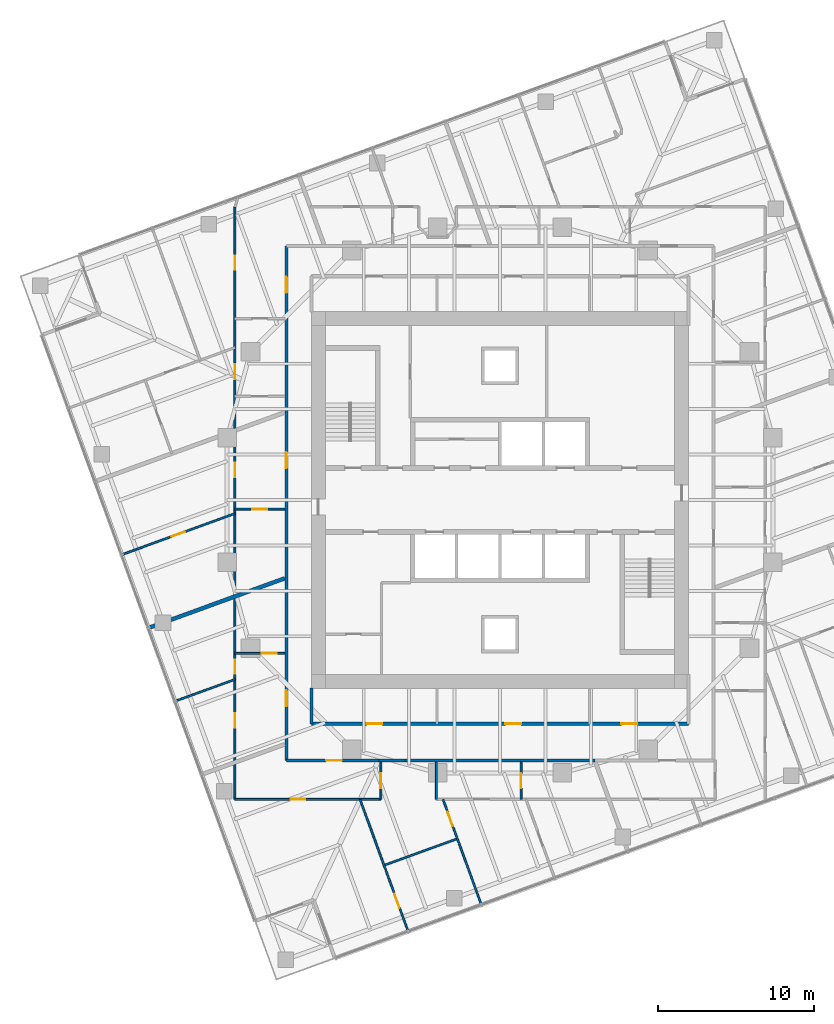
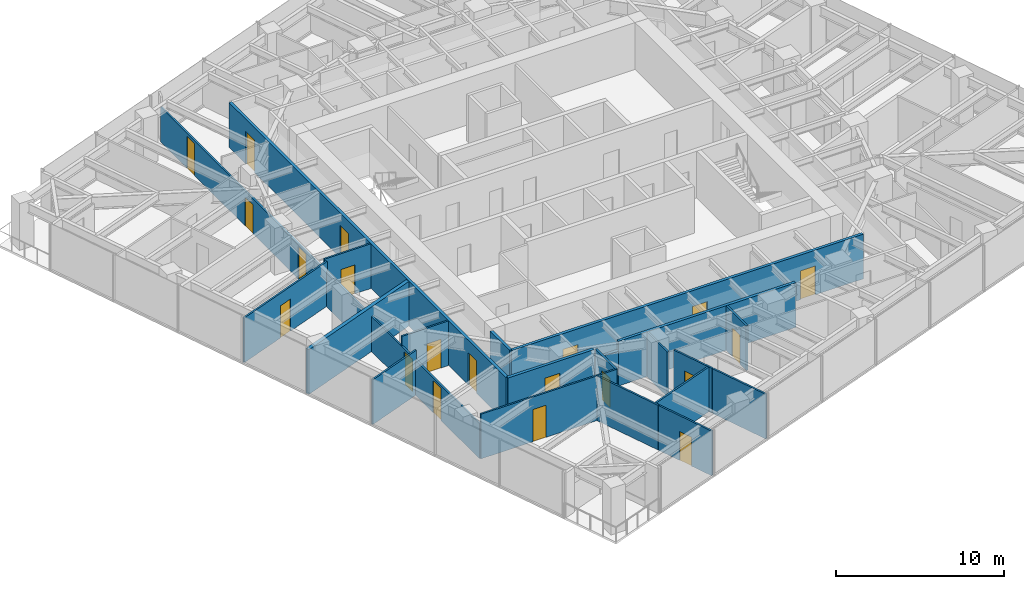
# One storey, part 7 of 13: 21 walls, 20 doors, 20 openings.
"""IFC4 building model written with IfcOpenShell, lengths in metres."""

from ifc_helpers import new_model, si_unit, direction, frame, frame_2d, origin, place, context, subcontext, project, spatial, rectangle, extrude, material, layer, layer_set, type_object, element, fill, save


model = new_model("IFC4")

# Units and contexts
model_context = context("Model", 3, precision=1e-05, world=origin(), true_north=direction((0.0, 1.0)))
body_context = subcontext(model_context, "Body", "Model", "MODEL_VIEW")
ifc_project = project(units=[si_unit("LENGTHUNIT", "METRE"), si_unit("AREAUNIT", "SQUARE_METRE"), si_unit("VOLUMEUNIT", "CUBIC_METRE"), si_unit("PLANEANGLEUNIT", "RADIAN"), si_unit("MASSUNIT", "GRAM", prefix="KILO")], contexts=[model_context])

# Site, building, storey
site_placement = place(None, origin())
site = spatial("IfcSite", under=ifc_project, at=site_placement, CompositionType="ELEMENT")
building_placement = place(site_placement, origin())
building = spatial("IfcBuilding", under=site, at=building_placement, Name="Torsade Residences", CompositionType="ELEMENT")
storey_placement = place(building_placement, frame((0.0, 0.0, 150.60009765625)))
storey = spatial("IfcBuildingStorey", under=building, at=storey_placement, Name="L41", CompositionType="ELEMENT", Elevation=150.60009765625)

# Wall, opening, door
ifc_material_1 = material(Name="Plasterboard on steel stud", Category="steel")
ifc_layer_1 = layer(ifc_material_1, 0.199951171875)
ifc_layer_set_1 = layer_set([ifc_layer_1], Name="Plasterboard on steel stud")
wall_type_1 = type_object("IfcWallType", Name="CORRIDOR WALL 200", PredefinedType="PARTITIONING", material=ifc_layer_set_1)
wall_1_placement = place(storey_placement, frame((26.300048828125, 13.300048828125, 0.0), z_axis=(0.0, 0.0, 1.0), x_axis=(1.0, 0.0, 0.0)))
wall_1 = element("IfcWall", 1, at=wall_1_placement, inside=storey, type_object=wall_type_1, Name="Corridor wall L41", PredefinedType="PARTITIONING", context=body_context, shape_type="SweptSolid", body=[
    extrude(rectangle(XDim=5.9248046875, YDim=0.199951171875, at=frame_2d((2.96240234375, 0.0))), origin(), (0.0, 0.0, 1.0), 3.25),
])
opening_1_placement = place(wall_1_placement, frame((2.54541015625, 0.0, 0.0)))
opening_1 = element("IfcOpeningElement", 2, at=opening_1_placement, cuts=wall_1, Name="Opening D01", PredefinedType="OPENING", context=body_context, shape_type="SweptSolid", body=[
    extrude(rectangle(XDim=1.02001953125, YDim=2.340087890625, at=frame_2d((0.510009765625, 1.169921875))), frame((0.0, 0.10986328125, 0.0), z_axis=(0.0, -1.0, 0.0), x_axis=(1.0, 0.0, 0.0)), (0.0, 0.0, 1.0), 0.219970703125),
])
ifc_material_2 = material(Name="Solid-core timber fire door", Category="wood")
door_type_1 = type_object("IfcDoorType", Name="APARTMENT ENTRY DOOR 1020x2340", OperationType="NOTDEFINED", PredefinedType="DOOR", material=ifc_material_2)
door_1_placement = place(opening_1_placement, origin())
door_1 = element("IfcDoor", 3, at=door_1_placement, inside=storey, type_object=door_type_1, Name="Door Residential corridor to Kitchen and dining", OperationType="SINGLE_SWING_RIGHT", OverallHeight=2.340087890625, OverallWidth=1.02001953125, PredefinedType="DOOR", context=body_context, shape_type="SweptSolid", body=[
    extrude(rectangle(XDim=1.02001953125, YDim=2.340087890625, at=frame_2d((0.510009765625, 1.169921875))), frame((0.0, 0.02490234375, 0.0), z_axis=(0.0, -1.0, 0.0), x_axis=(1.0, 0.0, 0.0)), (0.0, 0.0, 1.0), 0.050048828125),
])
fill(opening_1, door_1)

# Walls
wall_2_placement = place(storey_placement, frame((32.224853515625, 13.300048828125, 0.0), z_axis=(0.0, 0.0, 1.0), x_axis=(1.0, 0.0, 0.0)))
element("IfcWall", 4, at=wall_2_placement, inside=storey, type_object=wall_type_1, Name="Corridor wall L41", PredefinedType="PARTITIONING", context=body_context, shape_type="SweptSolid", body=[
    extrude(rectangle(XDim=1.68359375, YDim=0.199951171875, at=frame_2d((0.841796875, 0.0))), origin(), (0.0, 0.0, 1.0), 2.5498046875),
])
wall_3_placement = place(storey_placement, frame((33.908447265625, 13.300048828125, 0.0), z_axis=(0.0, 0.0, 1.0), x_axis=(1.0, 0.0, 0.0)))
element("IfcWall", 5, at=wall_3_placement, inside=storey, type_object=wall_type_1, Name="Corridor wall L41", PredefinedType="PARTITIONING", context=body_context, shape_type="SweptSolid", body=[
    extrude(rectangle(XDim=12.18310546875, YDim=0.199951171875, at=frame_2d((6.091552734375, 0.0))), origin(), (0.0, 0.0, 1.0), 3.25),
])

# Wall, openings, doors
wall_4_placement = place(storey_placement, frame((26.300048828125, 46.300048828125, 0.0), z_axis=(0.0, 0.0, 1.0), x_axis=(0.0, -1.0, 0.0)))
wall_4 = element("IfcWall", 6, at=wall_4_placement, inside=storey, type_object=wall_type_1, Name="Corridor wall L41", PredefinedType="PARTITIONING", context=body_context, shape_type="SweptSolid", body=[
    extrude(rectangle(XDim=33.0, YDim=0.199951171875, at=frame_2d((16.5, 0.0))), origin(), (0.0, 0.0, 1.0), 3.25),
])
opening_2_placement = place(wall_4_placement, frame((13.2294921875, 0.0, 0.0)))
opening_2 = element("IfcOpeningElement", 7, at=opening_2_placement, cuts=wall_4, Name="Opening D01", PredefinedType="OPENING", context=body_context, shape_type="SweptSolid", body=[
    extrude(rectangle(XDim=1.02001953125, YDim=2.340087890625, at=frame_2d((0.510009765625, 1.169921875))), frame((0.0, 0.10986328125, 0.0), z_axis=(0.0, -1.0, 0.0), x_axis=(1.0, 0.0, 0.0)), (0.0, 0.0, 1.0), 0.219970703125),
])
opening_3_placement = place(wall_4_placement, frame((28.51025390625, 0.0, 0.0)))
opening_3 = element("IfcOpeningElement", 8, at=opening_3_placement, cuts=wall_4, Name="Opening D01", PredefinedType="OPENING", context=body_context, shape_type="SweptSolid", body=[
    extrude(rectangle(XDim=1.02001953125, YDim=2.340087890625, at=frame_2d((0.510009765625, 1.169921875))), frame((0.0, 0.10986328125, 0.0), z_axis=(0.0, -1.0, 0.0), x_axis=(1.0, 0.0, 0.0)), (0.0, 0.0, 1.0), 0.219970703125),
])
opening_4_placement = place(wall_4_placement, frame((1.998291015625, 0.0, 0.0)))
opening_4 = element("IfcOpeningElement", 9, at=opening_4_placement, cuts=wall_4, Name="Opening D01", PredefinedType="OPENING", context=body_context, shape_type="SweptSolid", body=[
    extrude(rectangle(XDim=1.02001953125, YDim=2.340087890625, at=frame_2d((0.510009765625, 1.169921875))), frame((0.0, 0.10986328125, 0.0), z_axis=(0.0, -1.0, 0.0), x_axis=(1.0, 0.0, 0.0)), (0.0, 0.0, 1.0), 0.219970703125),
])
door_2_placement = place(opening_2_placement, origin())
door_2 = element("IfcDoor", 10, at=door_2_placement, inside=storey, type_object=door_type_1, Name="Door Residential corridor to Kitchen and dining", OperationType="SINGLE_SWING_LEFT", OverallHeight=2.340087890625, OverallWidth=1.02001953125, PredefinedType="DOOR", context=body_context, shape_type="SweptSolid", body=[
    extrude(rectangle(XDim=1.02001953125, YDim=2.340087890625, at=frame_2d((0.510009765625, 1.169921875))), frame((0.0, 0.02490234375, 0.0), z_axis=(0.0, -1.0, 0.0), x_axis=(1.0, 0.0, 0.0)), (0.0, 0.0, 1.0), 0.050048828125),
])
fill(opening_2, door_2)
door_3_placement = place(opening_3_placement, origin())
door_3 = element("IfcDoor", 11, at=door_3_placement, inside=storey, type_object=door_type_1, Name="Door Residential corridor to Kitchen and dining", OperationType="SINGLE_SWING_RIGHT", OverallHeight=2.340087890625, OverallWidth=1.02001953125, PredefinedType="DOOR", context=body_context, shape_type="SweptSolid", body=[
    extrude(rectangle(XDim=1.02001953125, YDim=2.340087890625, at=frame_2d((0.510009765625, 1.169921875))), frame((0.0, 0.02490234375, 0.0), z_axis=(0.0, -1.0, 0.0), x_axis=(1.0, 0.0, 0.0)), (0.0, 0.0, 1.0), 0.050048828125),
])
fill(opening_3, door_3)
door_4_placement = place(opening_4_placement, origin())
door_4 = element("IfcDoor", 12, at=door_4_placement, inside=storey, type_object=door_type_1, Name="Door Residential corridor to Kitchen and dining", OperationType="SINGLE_SWING_LEFT", OverallHeight=2.340087890625, OverallWidth=1.02001953125, PredefinedType="DOOR", context=body_context, shape_type="SweptSolid", body=[
    extrude(rectangle(XDim=1.02001953125, YDim=2.340087890625, at=frame_2d((0.510009765625, 1.169921875))), frame((0.0, 0.02490234375, 0.0), z_axis=(0.0, -1.0, 0.0), x_axis=(1.0, 0.0, 0.0)), (0.0, 0.0, 1.0), 0.050048828125),
])
fill(opening_4, door_4)

# Wall
wall_5_placement = place(storey_placement, frame((27.89990234375, 17.949951171875, 0.0), z_axis=(0.0, 0.0, 1.0), x_axis=(0.0, -1.0, 0.0)))
element("IfcWall", 13, at=wall_5_placement, inside=storey, type_object=wall_type_1, Name="Corridor wall L41", PredefinedType="PARTITIONING", context=body_context, shape_type="SweptSolid", body=[
    extrude(rectangle(XDim=2.300048828125, YDim=0.199951171875, at=frame_2d((1.14990234375, 0.0))), origin(), (0.0, 0.0, 1.0), 3.25),
])

# Wall, openings, doors
wall_6_placement = place(storey_placement, frame((27.89990234375, 15.64990234375, 0.0), z_axis=(0.0, 0.0, 1.0), x_axis=(1.0, 0.0, 0.0)))
wall_6 = element("IfcWall", 14, at=wall_6_placement, inside=storey, type_object=wall_type_1, Name="Corridor wall L41", PredefinedType="PARTITIONING", context=body_context, shape_type="SweptSolid", body=[
    extrude(rectangle(XDim=24.2001953125, YDim=0.199951171875, at=frame_2d((12.10009765625, 0.0))), origin(), (0.0, 0.0, 1.0), 3.25),
])
opening_5_placement = place(wall_6_placement, frame((12.43701171875, 0.0, 0.0)))
opening_5 = element("IfcOpeningElement", 15, at=opening_5_placement, cuts=wall_6, Name="Opening D03", PredefinedType="OPENING", context=body_context, shape_type="SweptSolid", body=[
    extrude(rectangle(XDim=1.02001953125, YDim=2.10009765625, at=frame_2d((0.510009765625, 1.050048828125))), frame((0.0, 0.10986328125, 0.0), z_axis=(0.0, -1.0, 0.0), x_axis=(1.0, 0.0, 0.0)), (0.0, 0.0, 1.0), 0.219970703125),
])
opening_6_placement = place(wall_6_placement, frame((3.544189453125, 0.0, 0.0)))
opening_6 = element("IfcOpeningElement", 16, at=opening_6_placement, cuts=wall_6, Name="Opening D03", PredefinedType="OPENING", context=body_context, shape_type="SweptSolid", body=[
    extrude(rectangle(XDim=1.02001953125, YDim=2.10009765625, at=frame_2d((0.510009765625, 1.050048828125))), frame((0.0, 0.10986328125, 0.0), z_axis=(0.0, -1.0, 0.0), x_axis=(1.0, 0.0, 0.0)), (0.0, 0.0, 1.0), 0.219970703125),
])
opening_7_placement = place(wall_6_placement, frame((19.8828125, 0.0, 0.0)))
opening_7 = element("IfcOpeningElement", 17, at=opening_7_placement, cuts=wall_6, Name="Opening D03", PredefinedType="OPENING", context=body_context, shape_type="SweptSolid", body=[
    extrude(rectangle(XDim=1.02001953125, YDim=2.10009765625, at=frame_2d((0.510009765625, 1.050048828125))), frame((0.0, 0.10986328125, 0.0), z_axis=(0.0, -1.0, 0.0), x_axis=(1.0, 0.0, 0.0)), (0.0, 0.0, 1.0), 0.219970703125),
])
ifc_material_3 = material(Name="Steel-framed fire door", Category="steel")
door_type_2 = type_object("IfcDoorType", Name="FIRE DOOR 1020", OperationType="NOTDEFINED", PredefinedType="DOOR", material=ifc_material_3)
door_5_placement = place(opening_5_placement, origin())
door_5 = element("IfcDoor", 18, at=door_5_placement, inside=storey, type_object=door_type_2, Name="Door Residential corridor to Bulk store", OperationType="SINGLE_SWING_RIGHT", OverallHeight=2.10009765625, OverallWidth=1.02001953125, PredefinedType="DOOR", context=body_context, shape_type="SweptSolid", body=[
    extrude(rectangle(XDim=1.02001953125, YDim=2.10009765625, at=frame_2d((0.510009765625, 1.050048828125))), frame((0.0, 0.02490234375, 0.0), z_axis=(0.0, -1.0, 0.0), x_axis=(1.0, 0.0, 0.0)), (0.0, 0.0, 1.0), 0.050048828125),
])
fill(opening_5, door_5)
door_6_placement = place(opening_6_placement, origin())
door_6 = element("IfcDoor", 19, at=door_6_placement, inside=storey, type_object=door_type_2, Name="Door Residential corridor to Residents storage", OperationType="SINGLE_SWING_RIGHT", OverallHeight=2.10009765625, OverallWidth=1.02001953125, PredefinedType="DOOR", context=body_context, shape_type="SweptSolid", body=[
    extrude(rectangle(XDim=1.02001953125, YDim=2.10009765625, at=frame_2d((0.510009765625, 1.050048828125))), frame((0.0, 0.02490234375, 0.0), z_axis=(0.0, -1.0, 0.0), x_axis=(1.0, 0.0, 0.0)), (0.0, 0.0, 1.0), 0.050048828125),
])
fill(opening_6, door_6)
door_7_placement = place(opening_7_placement, origin())
door_7 = element("IfcDoor", 20, at=door_7_placement, inside=storey, type_object=door_type_2, Name="Door Residential corridor to Parcel room", OperationType="SINGLE_SWING_LEFT", OverallHeight=2.10009765625, OverallWidth=1.02001953125, PredefinedType="DOOR", context=body_context, shape_type="SweptSolid", body=[
    extrude(rectangle(XDim=1.02001953125, YDim=2.10009765625, at=frame_2d((0.510009765625, 1.050048828125))), frame((0.0, 0.02490234375, 0.0), z_axis=(0.0, -1.0, 0.0), x_axis=(1.0, 0.0, 0.0)), (0.0, 0.0, 1.0), 0.050048828125),
])
fill(opening_7, door_7)

# Wall, opening, door
ifc_material_4 = material(Name="Plasterboard on steel stud", Category="steel")
ifc_layer_2 = layer(ifc_material_4, 0.1201171875)
ifc_layer_set_2 = layer_set([ifc_layer_2], Name="Plasterboard on steel stud")
wall_type_2 = type_object("IfcWallType", Name="PARTITION 120", PredefinedType="PARTITIONING", material=ifc_layer_set_2)
wall_7_placement = place(storey_placement, frame((26.199951171875, 29.4130859375, 0.0), z_axis=(0.0, 0.0, 1.0), x_axis=(-1.0, 0.0, 0.0)))
wall_7 = element("IfcWall", 21, at=wall_7_placement, inside=storey, type_object=wall_type_2, Name="Partition L41", PredefinedType="PARTITIONING", context=body_context, shape_type="SweptSolid", body=[
    extrude(rectangle(XDim=3.199951171875, YDim=0.1201171875, at=frame_2d((1.60009765625, 0.0))), origin(), (0.0, 0.0, 1.0), 3.25),
])
opening_8_placement = place(wall_7_placement, frame((1.1201171875, 0.0, 0.0)))
opening_8 = element("IfcOpeningElement", 22, at=opening_8_placement, cuts=wall_7, Name="Opening D05", PredefinedType="OPENING", context=body_context, shape_type="SweptSolid", body=[
    extrude(rectangle(XDim=0.9599609375, YDim=2.10009765625, at=frame_2d((0.47998046875, 1.050048828125))), frame((0.0, 0.070068359375, 0.0), z_axis=(0.0, -1.0, 0.0), x_axis=(1.0, 0.0, 0.0)), (0.0, 0.0, 1.0), 0.14013671875),
])
ifc_material_5 = material(Name="Hollow-core timber door in a steel cavity frame", Category="steel")
door_type_3 = type_object("IfcDoorType", Name="BATHROOM CAVITY SLIDING DOOR 960", OperationType="SLIDING_TO_LEFT", PredefinedType="DOOR", material=ifc_material_5)
door_8_placement = place(opening_8_placement, origin())
door_8 = element("IfcDoor", 23, at=door_8_placement, inside=storey, type_object=door_type_3, Name="Door Kitchen and dining to Bathroom", OperationType="SLIDING_TO_LEFT", OverallHeight=2.10009765625, OverallWidth=0.9599609375, PredefinedType="DOOR", context=body_context, shape_type="SweptSolid", body=[
    extrude(rectangle(XDim=0.9599609375, YDim=2.10009765625, at=frame_2d((0.47998046875, 1.050048828125))), frame((0.0, 0.02490234375, 0.0), z_axis=(0.0, -1.0, 0.0), x_axis=(1.0, 0.0, 0.0)), (0.0, 0.0, 1.0), 0.050048828125),
])
fill(opening_8, door_8)

# Wall, openings, doors
wall_8_placement = place(storey_placement, frame((23.0, 10.800048828125, 0.0), z_axis=(0.0, 0.0, 1.0), x_axis=(0.0, 1.0, 0.0)))
wall_8 = element("IfcWall", 24, at=wall_8_placement, inside=storey, type_object=wall_type_2, Name="Partition L41", PredefinedType="PARTITIONING", context=body_context, shape_type="SweptSolid", body=[
    extrude(rectangle(XDim=38.0, YDim=0.1201171875, at=frame_2d((19.0, 0.0))), origin(), (0.0, 0.0, 1.0), 2.5498046875),
])
opening_9_placement = place(wall_8_placement, frame((20.673583984375, 0.0, 0.0)))
opening_9 = element("IfcOpeningElement", 25, at=opening_9_placement, cuts=wall_8, Name="Opening D02", PredefinedType="OPENING", context=body_context, shape_type="SweptSolid", body=[
    extrude(rectangle(XDim=0.919921875, YDim=2.340087890625, at=frame_2d((0.4599609375, 1.169921875))), frame((0.0, 0.070068359375, 0.0), z_axis=(0.0, -1.0, 0.0), x_axis=(1.0, 0.0, 0.0)), (0.0, 0.0, 1.0), 0.14013671875),
])
opening_10_placement = place(wall_8_placement, frame((4.59765625, 0.0, 0.0)))
opening_10 = element("IfcOpeningElement", 26, at=opening_10_placement, cuts=wall_8, Name="Opening D02", PredefinedType="OPENING", context=body_context, shape_type="SweptSolid", body=[
    extrude(rectangle(XDim=0.919921875, YDim=2.340087890625, at=frame_2d((0.4599609375, 1.169921875))), frame((0.0, 0.070068359375, 0.0), z_axis=(0.0, -1.0, 0.0), x_axis=(1.0, 0.0, 0.0)), (0.0, 0.0, 1.0), 0.14013671875),
])
opening_11_placement = place(wall_8_placement, frame((8.042724609375, 0.0, 0.0)))
opening_11 = element("IfcOpeningElement", 27, at=opening_11_placement, cuts=wall_8, Name="Opening D02", PredefinedType="OPENING", context=body_context, shape_type="SweptSolid", body=[
    extrude(rectangle(XDim=0.919921875, YDim=2.340087890625, at=frame_2d((0.4599609375, 1.169921875))), frame((0.0, 0.070068359375, 0.0), z_axis=(0.0, -1.0, 0.0), x_axis=(1.0, 0.0, 0.0)), (0.0, 0.0, 1.0), 0.14013671875),
])
opening_12_placement = place(wall_8_placement, frame((33.956787109375, 0.0, 0.0)))
opening_12 = element("IfcOpeningElement", 28, at=opening_12_placement, cuts=wall_8, Name="Opening D02", PredefinedType="OPENING", context=body_context, shape_type="SweptSolid", body=[
    extrude(rectangle(XDim=0.919921875, YDim=2.340087890625, at=frame_2d((0.4599609375, 1.169921875))), frame((0.0, 0.070068359375, 0.0), z_axis=(0.0, -1.0, 0.0), x_axis=(1.0, 0.0, 0.0)), (0.0, 0.0, 1.0), 0.14013671875),
])
opening_13_placement = place(wall_8_placement, frame((26.95654296875, 0.0, 0.0)))
opening_13 = element("IfcOpeningElement", 29, at=opening_13_placement, cuts=wall_8, Name="Opening D05", PredefinedType="OPENING", context=body_context, shape_type="SweptSolid", body=[
    extrude(rectangle(XDim=0.9599609375, YDim=2.10009765625, at=frame_2d((0.47998046875, 1.050048828125))), frame((0.0, 0.070068359375, 0.0), z_axis=(0.0, -1.0, 0.0), x_axis=(1.0, 0.0, 0.0)), (0.0, 0.0, 1.0), 0.14013671875),
])
door_9_placement = place(opening_13_placement, origin())
door_9 = element("IfcDoor", 30, at=door_9_placement, inside=storey, type_object=door_type_3, Name="Door Bathroom to Walk-in robe", OperationType="SLIDING_TO_LEFT", OverallHeight=2.10009765625, OverallWidth=0.9599609375, PredefinedType="DOOR", context=body_context, shape_type="SweptSolid", body=[
    extrude(rectangle(XDim=0.9599609375, YDim=2.10009765625, at=frame_2d((0.47998046875, 1.050048828125))), frame((0.0, 0.02490234375, 0.0), z_axis=(0.0, -1.0, 0.0), x_axis=(1.0, 0.0, 0.0)), (0.0, 0.0, 1.0), 0.050048828125),
])
fill(opening_13, door_9)
ifc_material_6 = material(Name="Hollow-core timber door", Category="wood")
door_type_4 = type_object("IfcDoorType", Name="INTERNAL DOOR 920x2340", OperationType="NOTDEFINED", PredefinedType="DOOR", material=ifc_material_6)
door_10_placement = place(opening_9_placement, origin())
door_10 = element("IfcDoor", 31, at=door_10_placement, inside=storey, type_object=door_type_4, Name="Door Kitchen and dining to Living room", OperationType="SINGLE_SWING_RIGHT", OverallHeight=2.340087890625, OverallWidth=0.919921875, PredefinedType="DOOR", context=body_context, shape_type="SweptSolid", body=[
    extrude(rectangle(XDim=0.919921875, YDim=2.340087890625, at=frame_2d((0.4599609375, 1.169921875))), frame((0.0, 0.02490234375, 0.0), z_axis=(0.0, -1.0, 0.0), x_axis=(1.0, 0.0, 0.0)), (0.0, 0.0, 1.0), 0.050048828125),
])
fill(opening_9, door_10)
door_11_placement = place(opening_10_placement, origin())
door_11 = element("IfcDoor", 32, at=door_11_placement, inside=storey, type_object=door_type_4, Name="Door Kitchen and dining to Bedroom 1", OperationType="SINGLE_SWING_RIGHT", OverallHeight=2.340087890625, OverallWidth=0.919921875, PredefinedType="DOOR", context=body_context, shape_type="SweptSolid", body=[
    extrude(rectangle(XDim=0.919921875, YDim=2.340087890625, at=frame_2d((0.4599609375, 1.169921875))), frame((0.0, 0.02490234375, 0.0), z_axis=(0.0, -1.0, 0.0), x_axis=(1.0, 0.0, 0.0)), (0.0, 0.0, 1.0), 0.050048828125),
])
fill(opening_10, door_11)
door_12_placement = place(opening_11_placement, origin())
door_12 = element("IfcDoor", 33, at=door_12_placement, inside=storey, type_object=door_type_4, Name="Door Kitchen and dining to Living room", OperationType="SINGLE_SWING_LEFT", OverallHeight=2.340087890625, OverallWidth=0.919921875, PredefinedType="DOOR", context=body_context, shape_type="SweptSolid", body=[
    extrude(rectangle(XDim=0.919921875, YDim=2.340087890625, at=frame_2d((0.4599609375, 1.169921875))), frame((0.0, 0.02490234375, 0.0), z_axis=(0.0, -1.0, 0.0), x_axis=(1.0, 0.0, 0.0)), (0.0, 0.0, 1.0), 0.050048828125),
])
fill(opening_11, door_12)
door_13_placement = place(opening_12_placement, origin())
door_13 = element("IfcDoor", 34, at=door_13_placement, inside=storey, type_object=door_type_4, Name="Door Kitchen and dining to Bedroom 1", OperationType="SINGLE_SWING_RIGHT", OverallHeight=2.340087890625, OverallWidth=0.919921875, PredefinedType="DOOR", context=body_context, shape_type="SweptSolid", body=[
    extrude(rectangle(XDim=0.919921875, YDim=2.340087890625, at=frame_2d((0.4599609375, 1.169921875))), frame((0.0, 0.02490234375, 0.0), z_axis=(0.0, -1.0, 0.0), x_axis=(1.0, 0.0, 0.0)), (0.0, 0.0, 1.0), 0.050048828125),
])
fill(opening_12, door_13)

# Wall, opening, door
wall_9_placement = place(storey_placement, frame((23.0, 29.133544921875, 0.0), z_axis=(0.0, 0.0, 1.0), x_axis=(-0.939685835373, -0.342038785519, 0.0)))
wall_9 = element("IfcWall", 35, at=wall_9_placement, inside=storey, type_object=wall_type_2, Name="Partition L41", PredefinedType="PARTITIONING", context=body_context, shape_type="SweptSolid", body=[
    extrude(rectangle(XDim=7.68896484375, YDim=0.1201171875, at=frame_2d((3.844482421875, 0.0))), origin(), (0.0, 0.0, 1.0), 3.25),
])
opening_14_placement = place(wall_9_placement, frame((3.404296875, 0.0, 0.0)))
opening_14 = element("IfcOpeningElement", 36, at=opening_14_placement, cuts=wall_9, Name="Opening D02", PredefinedType="OPENING", context=body_context, shape_type="SweptSolid", body=[
    extrude(rectangle(XDim=0.919921875, YDim=2.340087890625, at=frame_2d((0.4599609375, 1.169921875))), frame((0.0, 0.070068359375, 0.0), z_axis=(0.0, -1.0, 0.0), x_axis=(1.0, 0.0, 0.0)), (0.0, 0.0, 1.0), 0.14013671875),
])
door_14_placement = place(opening_14_placement, origin())
door_14 = element("IfcDoor", 37, at=door_14_placement, inside=storey, type_object=door_type_4, Name="Door Living room to Bedroom 1", OperationType="SINGLE_SWING_RIGHT", OverallHeight=2.340087890625, OverallWidth=0.919921875, PredefinedType="DOOR", context=body_context, shape_type="SweptSolid", body=[
    extrude(rectangle(XDim=0.919921875, YDim=2.340087890625, at=frame_2d((0.4599609375, 1.169921875))), frame((0.0, 0.02490234375, 0.0), z_axis=(0.0, -1.0, 0.0), x_axis=(1.0, 0.0, 0.0)), (0.0, 0.0, 1.0), 0.050048828125),
])
fill(opening_14, door_14)

wall_10_placement = place(storey_placement, frame((23.0, 20.167236328125, 0.0), z_axis=(0.0, 0.0, 1.0), x_axis=(1.0, 0.0, 0.0)))
wall_10 = element("IfcWall", 38, at=wall_10_placement, inside=storey, type_object=wall_type_2, Name="Partition L41", PredefinedType="PARTITIONING", context=body_context, shape_type="SweptSolid", body=[
    extrude(rectangle(XDim=3.199951171875, YDim=0.1201171875, at=frame_2d((1.60009765625, 0.0))), origin(), (0.0, 0.0, 1.0), 3.25),
])
opening_15_placement = place(wall_10_placement, frame((1.719970703125, 0.0, 0.0)))
opening_15 = element("IfcOpeningElement", 39, at=opening_15_placement, cuts=wall_10, Name="Opening D05", PredefinedType="OPENING", context=body_context, shape_type="SweptSolid", body=[
    extrude(rectangle(XDim=0.9599609375, YDim=2.10009765625, at=frame_2d((0.47998046875, 1.050048828125))), frame((0.0, 0.070068359375, 0.0), z_axis=(0.0, -1.0, 0.0), x_axis=(1.0, 0.0, 0.0)), (0.0, 0.0, 1.0), 0.14013671875),
])
door_15_placement = place(opening_15_placement, origin())
door_15 = element("IfcDoor", 40, at=door_15_placement, inside=storey, type_object=door_type_3, Name="Door Kitchen and dining to Bathroom", OperationType="SLIDING_TO_LEFT", OverallHeight=2.10009765625, OverallWidth=0.9599609375, PredefinedType="DOOR", context=body_context, shape_type="SweptSolid", body=[
    extrude(rectangle(XDim=0.9599609375, YDim=2.10009765625, at=frame_2d((0.47998046875, 1.050048828125))), frame((0.0, 0.02490234375, 0.0), z_axis=(0.0, -1.0, 0.0), x_axis=(1.0, 0.0, 0.0)), (0.0, 0.0, 1.0), 0.050048828125),
])
fill(opening_15, door_15)

# Wall
wall_11_placement = place(storey_placement, frame((23.0, 18.49169921875, 0.0), z_axis=(0.0, 0.0, 1.0), x_axis=(-0.939682468191, -0.342048036063, 0.0)))
element("IfcWall", 41, at=wall_11_placement, inside=storey, type_object=wall_type_2, Name="Partition L41", PredefinedType="PARTITIONING", context=body_context, shape_type="SweptSolid", body=[
    extrude(rectangle(XDim=4.049072265625, YDim=0.1201171875, at=frame_2d((2.0244140625, 0.0))), origin(), (0.0, 0.0, 1.0), 3.25),
])

# Wall, opening, door
wall_12_placement = place(storey_placement, frame((32.361083984375, 13.199951171875, 0.0), z_axis=(0.0, 0.0, 1.0), x_axis=(0.0, -1.0, 0.0)))
wall_12 = element("IfcWall", 42, at=wall_12_placement, inside=storey, type_object=wall_type_2, Name="Partition L41", PredefinedType="PARTITIONING", context=body_context, shape_type="SweptSolid", body=[
    extrude(rectangle(XDim=2.39990234375, YDim=0.1201171875, at=frame_2d((1.199951171875, 0.0))), origin(), (0.0, 0.0, 1.0), 3.25),
])
opening_16_placement = place(wall_12_placement, frame((0.719970703125, 0.0, 0.0)))
opening_16 = element("IfcOpeningElement", 43, at=opening_16_placement, cuts=wall_12, Name="Opening D05", PredefinedType="OPENING", context=body_context, shape_type="SweptSolid", body=[
    extrude(rectangle(XDim=0.9599609375, YDim=2.10009765625, at=frame_2d((0.47998046875, 1.050048828125))), frame((0.0, 0.070068359375, 0.0), z_axis=(0.0, -1.0, 0.0), x_axis=(1.0, 0.0, 0.0)), (0.0, 0.0, 1.0), 0.14013671875),
])
door_16_placement = place(opening_16_placement, origin())
door_16 = element("IfcDoor", 44, at=door_16_placement, inside=storey, type_object=door_type_3, Name="Door Kitchen and dining to Laundry", OperationType="SLIDING_TO_LEFT", OverallHeight=2.10009765625, OverallWidth=0.9599609375, PredefinedType="DOOR", context=body_context, shape_type="SweptSolid", body=[
    extrude(rectangle(XDim=0.9599609375, YDim=2.10009765625, at=frame_2d((0.47998046875, 1.050048828125))), frame((0.0, 0.02490234375, 0.0), z_axis=(0.0, -1.0, 0.0), x_axis=(1.0, 0.0, 0.0)), (0.0, 0.0, 1.0), 0.050048828125),
])
fill(opening_16, door_16)

wall_13_placement = place(storey_placement, frame((32.361083984375, 10.800048828125, 0.0), z_axis=(0.0, 0.0, 1.0), x_axis=(-1.0, 0.0, 0.0)))
wall_13 = element("IfcWall", 45, at=wall_13_placement, inside=storey, type_object=wall_type_2, Name="Partition L41", PredefinedType="PARTITIONING", context=body_context, shape_type="SweptSolid", body=[
    extrude(rectangle(XDim=9.361083984375, YDim=0.1201171875, at=frame_2d((4.6806640625, 0.0))), origin(), (0.0, 0.0, 1.0), 3.25),
])
opening_17_placement = place(wall_13_placement, frame((4.861572265625, 0.0, 0.0)))
opening_17 = element("IfcOpeningElement", 46, at=opening_17_placement, cuts=wall_13, Name="Opening D02", PredefinedType="OPENING", context=body_context, shape_type="SweptSolid", body=[
    extrude(rectangle(XDim=0.919921875, YDim=2.340087890625, at=frame_2d((0.4599609375, 1.169921875))), frame((0.0, 0.070068359375, 0.0), z_axis=(0.0, -1.0, 0.0), x_axis=(1.0, 0.0, 0.0)), (0.0, 0.0, 1.0), 0.14013671875),
])
door_17_placement = place(opening_17_placement, origin())
door_17 = element("IfcDoor", 47, at=door_17_placement, inside=storey, type_object=door_type_4, Name="Door Kitchen and dining to Living room", OperationType="SINGLE_SWING_RIGHT", OverallHeight=2.340087890625, OverallWidth=0.919921875, PredefinedType="DOOR", context=body_context, shape_type="SweptSolid", body=[
    extrude(rectangle(XDim=0.919921875, YDim=2.340087890625, at=frame_2d((0.4599609375, 1.169921875))), frame((0.0, 0.02490234375, 0.0), z_axis=(0.0, -1.0, 0.0), x_axis=(1.0, 0.0, 0.0)), (0.0, 0.0, 1.0), 0.050048828125),
])
fill(opening_17, door_17)

wall_14_placement = place(storey_placement, frame((41.3525390625, 13.199951171875, 0.0), z_axis=(0.0, 0.0, 1.0), x_axis=(0.0, -1.0, 0.0)))
wall_14 = element("IfcWall", 48, at=wall_14_placement, inside=storey, type_object=wall_type_2, Name="Partition L41", PredefinedType="PARTITIONING", context=body_context, shape_type="SweptSolid", body=[
    extrude(rectangle(XDim=2.39990234375, YDim=0.1201171875, at=frame_2d((1.199951171875, 0.0))), origin(), (0.0, 0.0, 1.0), 3.25),
])
opening_18_placement = place(wall_14_placement, frame((0.719970703125, 0.0, 0.0)))
opening_18 = element("IfcOpeningElement", 49, at=opening_18_placement, cuts=wall_14, Name="Opening D05", PredefinedType="OPENING", context=body_context, shape_type="SweptSolid", body=[
    extrude(rectangle(XDim=0.9599609375, YDim=2.10009765625, at=frame_2d((0.47998046875, 1.050048828125))), frame((0.0, 0.070068359375, 0.0), z_axis=(0.0, -1.0, 0.0), x_axis=(1.0, 0.0, 0.0)), (0.0, 0.0, 1.0), 0.14013671875),
])
door_18_placement = place(opening_18_placement, origin())
door_18 = element("IfcDoor", 50, at=door_18_placement, inside=storey, type_object=door_type_3, Name="Door Ensuite 2 to Ensuite", OperationType="SLIDING_TO_LEFT", OverallHeight=2.10009765625, OverallWidth=0.9599609375, PredefinedType="DOOR", context=body_context, shape_type="SweptSolid", body=[
    extrude(rectangle(XDim=0.9599609375, YDim=2.10009765625, at=frame_2d((0.47998046875, 1.050048828125))), frame((0.0, 0.02490234375, 0.0), z_axis=(0.0, -1.0, 0.0), x_axis=(1.0, 0.0, 0.0)), (0.0, 0.0, 1.0), 0.050048828125),
])
fill(opening_18, door_18)

# Walls
wall_15_placement = place(storey_placement, frame((35.916015625, 10.800048828125, 0.0), z_axis=(0.0, 0.0, 1.0), x_axis=(0.0, 1.0, 0.0)))
element("IfcWall", 51, at=wall_15_placement, inside=storey, type_object=wall_type_2, Name="Partition L41", PredefinedType="PARTITIONING", context=body_context, shape_type="SweptSolid", body=[
    extrude(rectangle(XDim=2.39990234375, YDim=0.1201171875, at=frame_2d((1.199951171875, 0.0))), origin(), (0.0, 0.0, 1.0), 3.25),
])
wall_16_placement = place(storey_placement, frame((32.666259765625, 6.2919921875, 0.0), z_axis=(0.0, 0.0, 1.0), x_axis=(-0.341988220281, 0.93970423921, 0.0)))
element("IfcWall", 52, at=wall_16_placement, inside=storey, type_object=wall_type_2, Name="Partition L41", PredefinedType="PARTITIONING", context=body_context, shape_type="SweptSolid", body=[
    extrude(rectangle(XDim=4.79736328125, YDim=0.1201171875, at=frame_2d((2.398681640625, 0.0))), origin(), (0.0, 0.0, 1.0), 3.25),
])

# Wall, opening, door
wall_17_placement = place(storey_placement, frame((36.346435546875, 10.800048828125, 0.0), z_axis=(0.0, 0.0, 1.0), x_axis=(0.341986632257, -0.939704817141, 0.0)))
wall_17 = element("IfcWall", 53, at=wall_17_placement, inside=storey, type_object=wall_type_2, Name="Partition L41", PredefinedType="PARTITIONING", context=body_context, shape_type="SweptSolid", body=[
    extrude(rectangle(XDim=2.9775390625, YDim=0.1201171875, at=frame_2d((1.48876953125, 0.0))), origin(), (0.0, 0.0, 1.0), 3.25),
])
opening_19_placement = place(wall_17_placement, frame((0.86083984375, 0.0, 0.0)))
opening_19 = element("IfcOpeningElement", 54, at=opening_19_placement, cuts=wall_17, Name="Opening D05", PredefinedType="OPENING", context=body_context, shape_type="SweptSolid", body=[
    extrude(rectangle(XDim=0.9599609375, YDim=2.10009765625, at=frame_2d((0.47998046875, 1.050048828125))), frame((0.0, 0.070068359375, 0.0), z_axis=(0.0, -1.0, 0.0), x_axis=(1.0, 0.0, 0.0)), (0.0, 0.0, 1.0), 0.14013671875),
])
door_19_placement = place(opening_19_placement, origin())
door_19 = element("IfcDoor", 55, at=door_19_placement, inside=storey, type_object=door_type_3, Name="Door Laundry to Bedroom 1", OperationType="SLIDING_TO_LEFT", OverallHeight=2.10009765625, OverallWidth=0.9599609375, PredefinedType="DOOR", context=body_context, shape_type="SweptSolid", body=[
    extrude(rectangle(XDim=0.9599609375, YDim=2.10009765625, at=frame_2d((0.47998046875, 1.050048828125))), frame((0.0, 0.02490234375, 0.0), z_axis=(0.0, -1.0, 0.0), x_axis=(1.0, 0.0, 0.0)), (0.0, 0.0, 1.0), 0.050048828125),
])
fill(opening_19, door_19)

# Wall
wall_18_placement = place(storey_placement, frame((37.263671875, 8.280029296875, 0.0), z_axis=(0.0, 0.0, 1.0), x_axis=(-0.939686455819, -0.342037080957, 0.0)))
element("IfcWall", 56, at=wall_18_placement, inside=storey, type_object=wall_type_2, Name="Partition L41", PredefinedType="PARTITIONING", context=body_context, shape_type="SweptSolid", body=[
    extrude(rectangle(XDim=5.0, YDim=0.1201171875, at=frame_2d((2.5, 0.0))), origin(), (0.0, 0.0, 1.0), 3.25),
])

# Wall, opening, door
wall_19_placement = place(storey_placement, frame((32.684814453125, 6.240966796875, 0.0), z_axis=(0.0, 0.0, 1.0), x_axis=(0.342036918442, -0.939686514973, 0.0)))
wall_19 = element("IfcWall", 57, at=wall_19_placement, inside=storey, type_object=wall_type_2, Name="Partition L41", PredefinedType="PARTITIONING", context=body_context, shape_type="SweptSolid", body=[
    extrude(rectangle(XDim=4.1357421875, YDim=0.1201171875, at=frame_2d((2.06787109375, 0.0))), origin(), (0.0, 0.0, 1.0), 3.25),
])
opening_20_placement = place(wall_19_placement, frame((1.60791015625, 0.0, 0.0)))
opening_20 = element("IfcOpeningElement", 58, at=opening_20_placement, cuts=wall_19, Name="Opening D05", PredefinedType="OPENING", context=body_context, shape_type="SweptSolid", body=[
    extrude(rectangle(XDim=0.9599609375, YDim=2.10009765625, at=frame_2d((0.47998046875, 1.050048828125))), frame((0.0, 0.070068359375, 0.0), z_axis=(0.0, -1.0, 0.0), x_axis=(1.0, 0.0, 0.0)), (0.0, 0.0, 1.0), 0.14013671875),
])
door_20_placement = place(opening_20_placement, origin())
door_20 = element("IfcDoor", 59, at=door_20_placement, inside=storey, type_object=door_type_3, Name="Door Living room to Bathroom", OperationType="SLIDING_TO_LEFT", OverallHeight=2.10009765625, OverallWidth=0.9599609375, PredefinedType="DOOR", context=body_context, shape_type="SweptSolid", body=[
    extrude(rectangle(XDim=0.9599609375, YDim=2.10009765625, at=frame_2d((0.47998046875, 1.050048828125))), frame((0.0, 0.02490234375, 0.0), z_axis=(0.0, -1.0, 0.0), x_axis=(1.0, 0.0, 0.0)), (0.0, 0.0, 1.0), 0.050048828125),
])
fill(opening_20, door_20)

# Walls
wall_20_placement = place(storey_placement, frame((38.7978515625, 4.064697265625, 0.0), z_axis=(0.0, 0.0, 1.0), x_axis=(-0.342036918442, 0.939686514973, 0.0)))
element("IfcWall", 60, at=wall_20_placement, inside=storey, type_object=wall_type_2, Name="Partition L41", PredefinedType="PARTITIONING", context=body_context, shape_type="SweptSolid", body=[
    extrude(rectangle(XDim=4.1357421875, YDim=0.1201171875, at=frame_2d((2.06787109375, 0.0))), origin(), (0.0, 0.0, 1.0), 3.25),
])
ifc_material_7 = material(Name="Masonry-lined stud party wall", Category="masonry")
ifc_layer_3 = layer(ifc_material_7, 0.25)
ifc_layer_set_3 = layer_set([ifc_layer_3], Name="Masonry-lined stud party wall")
wall_type_3 = type_object("IfcWallType", Name="PARTY WALL 250", PredefinedType="PARTITIONING", material=ifc_layer_set_3)
wall_21_placement = place(storey_placement, frame((17.447265625, 21.79150390625, 0.0), z_axis=(0.0, 0.0, 1.0), x_axis=(0.939693071685, 0.342018904489, 0.0)))
element("IfcWall", 61, at=wall_21_placement, inside=storey, type_object=wall_type_3, Name="Party wall L41", PredefinedType="PARTITIONING", context=body_context, shape_type="SweptSolid", body=[
    extrude(rectangle(XDim=9.308837890625, YDim=0.25, at=frame_2d((4.654296875, 0.0))), origin(), (0.0, 0.0, 1.0), 3.25),
])

save(model, "model.ifc")
